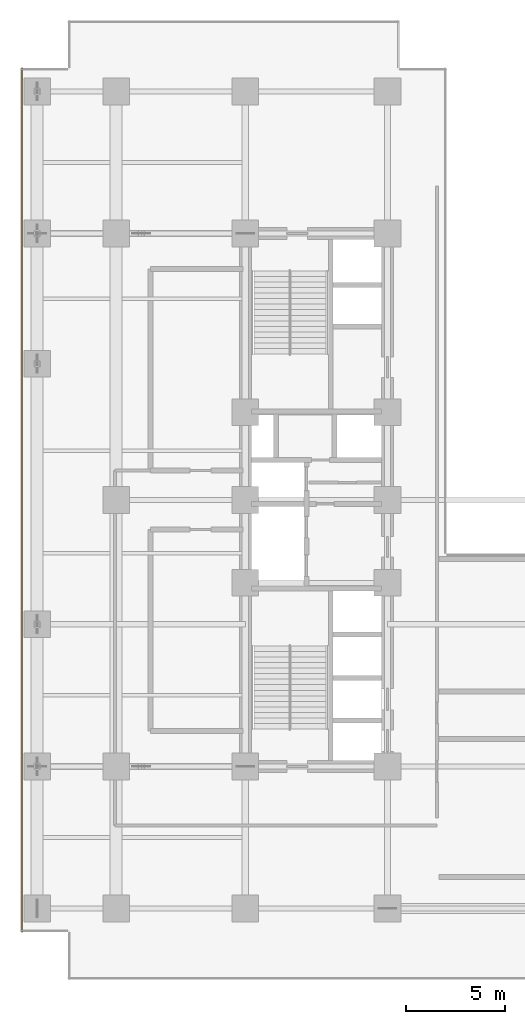
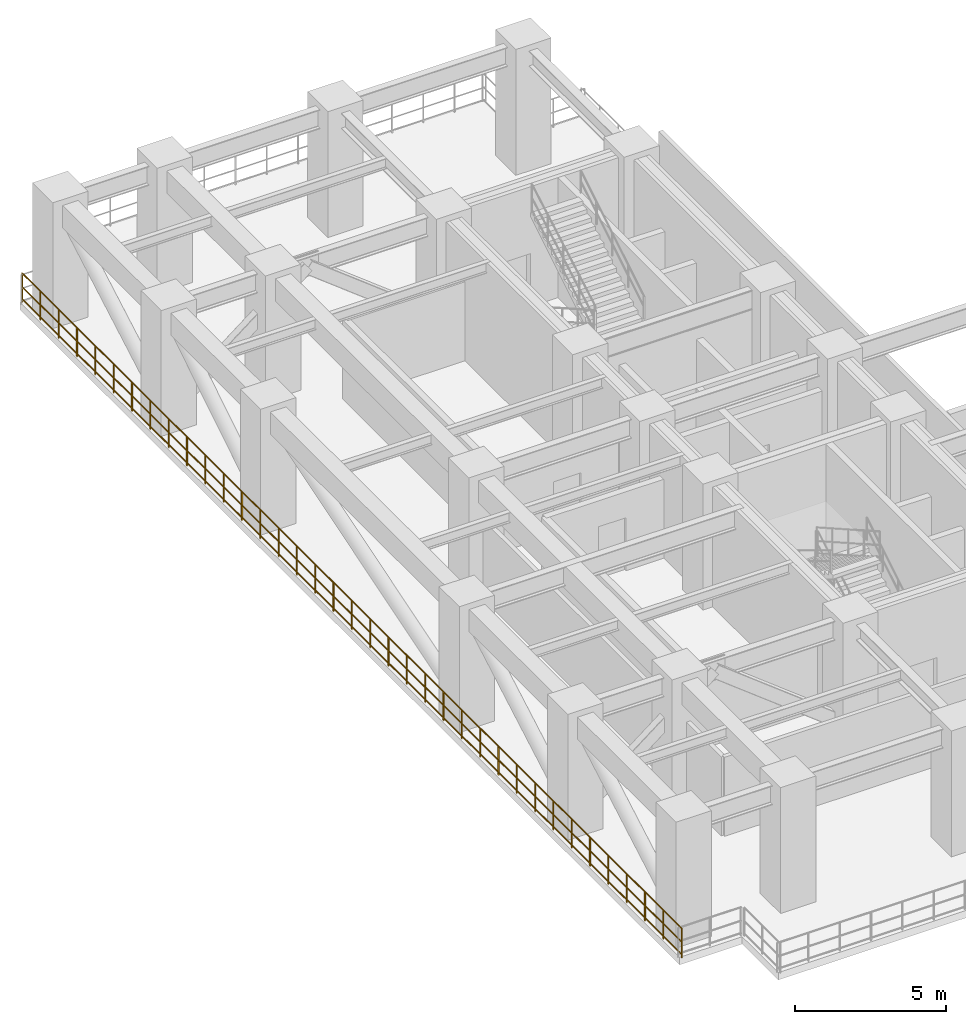
# One storey, part 11 of 15: 1 railing.
"""IFC4 building model written with IfcOpenShell, lengths in metres."""

from ifc_helpers import new_model, entity, si_unit, converted_unit, direction, frame, origin_with_axes, origin_2d_with_axis, place, context, subcontext, project, spatial, rectangle, circle, extrude, material, type_object, element, save


model = new_model("IFC4")

# Units and contexts
model_context = context("Model", 3, precision=1e-05, world=origin_with_axes(), true_north=direction((0.0, 1.0)))
body_context = subcontext(model_context, "Body", "Model", "MODEL_VIEW")
ifc_project = project(units=[si_unit("LENGTHUNIT", "METRE"), si_unit("AREAUNIT", "SQUARE_METRE"), si_unit("VOLUMEUNIT", "CUBIC_METRE"), converted_unit("PLANEANGLEUNIT", "DEGREE", entity("IfcPlaneAngleMeasure", 0.017453292519943295), si_unit("PLANEANGLEUNIT", "RADIAN"), dimensions=[0, 0, 0, 0, 0, 0, 0]), si_unit("MASSUNIT", "GRAM", prefix="KILO"), si_unit("THERMODYNAMICTEMPERATUREUNIT", "KELVIN")], contexts=[model_context])

# Site, building, storey
site_placement = place(None, origin_with_axes())
site = spatial("IfcSite", under=ifc_project, at=site_placement, CompositionType="ELEMENT")
building_placement = place(site_placement, origin_with_axes())
building = spatial("IfcBuilding", under=site, at=building_placement, Name="Varnlund Millrace Tower", CompositionType="ELEMENT")
storey_placement = place(building_placement, frame((0.0, 0.0, 79.5), z_axis=(0.0, 0.0, 1.0), x_axis=(1.0, 0.0, 0.0)))
storey = spatial("IfcBuildingStorey", under=building, at=storey_placement, Name="L19", CompositionType="ELEMENT", Elevation=79.5)

# Railing
ifc_material = material(Name="Architectural bronze balustrade guard", Category="aluminium")
railing_type = type_object("IfcRailingType", Name="Type-Guard-Perimeter-1150", PredefinedType="BALUSTRADE", material=ifc_material)
railing_placement = place(storey_placement, frame((0.0, 0.0, -79.5), z_axis=(0.0, 0.0, 1.0), x_axis=(1.0, 0.0, 0.0)))
element("IfcRailing", 1, at=railing_placement, inside=storey, type_object=railing_type, Name="Type-Guard-Perimeter-1150", PredefinedType="BALUSTRADE", context=body_context, shape_type="SweptSolid", body=[
    extrude(circle(Radius=0.024, at=origin_2d_with_axis()), frame((0.08, 46.2, 80.65), z_axis=(0.0, -1.0, 0.0), x_axis=(1.0, 0.0, 0.0)), (0.0, 0.0, 1.0), 43.8),
    extrude(circle(Radius=0.024, at=origin_2d_with_axis()), frame((0.08, 46.2, 79.6), z_axis=(0.0, -1.0, 0.0), x_axis=(1.0, 0.0, 0.0)), (0.0, 0.0, 1.0), 43.8),
    extrude(circle(Radius=0.024, at=origin_2d_with_axis()), frame((0.08, 46.2, 80.098), z_axis=(0.0, -1.0, 0.0), x_axis=(1.0, 0.0, 0.0)), (0.0, 0.0, 1.0), 43.8),
    extrude(rectangle(XDim=0.04, YDim=0.04, at=origin_2d_with_axis()), frame((0.08, 46.2, 79.46), z_axis=(0.0, 0.0, 1.0), x_axis=(1.0, 0.0, 0.0)), (0.0, 0.0, 1.0), 1.19),
    extrude(rectangle(XDim=0.04, YDim=0.04, at=origin_2d_with_axis()), frame((0.08, 44.983333, 79.46), z_axis=(0.0, 0.0, 1.0), x_axis=(1.0, 0.0, 0.0)), (0.0, 0.0, 1.0), 1.19),
    extrude(rectangle(XDim=0.04, YDim=0.04, at=origin_2d_with_axis()), frame((0.08, 43.766667, 79.46), z_axis=(0.0, 0.0, 1.0), x_axis=(1.0, 0.0, 0.0)), (0.0, 0.0, 1.0), 1.19),
    extrude(rectangle(XDim=0.04, YDim=0.04, at=origin_2d_with_axis()), frame((0.08, 42.55, 79.46), z_axis=(0.0, 0.0, 1.0), x_axis=(1.0, 0.0, 0.0)), (0.0, 0.0, 1.0), 1.19),
    extrude(rectangle(XDim=0.04, YDim=0.04, at=origin_2d_with_axis()), frame((0.08, 41.333333, 79.46), z_axis=(0.0, 0.0, 1.0), x_axis=(1.0, 0.0, 0.0)), (0.0, 0.0, 1.0), 1.19),
    extrude(rectangle(XDim=0.04, YDim=0.04, at=origin_2d_with_axis()), frame((0.08, 40.116667, 79.46), z_axis=(0.0, 0.0, 1.0), x_axis=(1.0, 0.0, 0.0)), (0.0, 0.0, 1.0), 1.19),
    extrude(rectangle(XDim=0.04, YDim=0.04, at=origin_2d_with_axis()), frame((0.08, 38.9, 79.46), z_axis=(0.0, 0.0, 1.0), x_axis=(1.0, 0.0, 0.0)), (0.0, 0.0, 1.0), 1.19),
    extrude(rectangle(XDim=0.04, YDim=0.04, at=origin_2d_with_axis()), frame((0.08, 37.683333, 79.46), z_axis=(0.0, 0.0, 1.0), x_axis=(1.0, 0.0, 0.0)), (0.0, 0.0, 1.0), 1.19),
    extrude(rectangle(XDim=0.04, YDim=0.04, at=origin_2d_with_axis()), frame((0.08, 36.466667, 79.46), z_axis=(0.0, 0.0, 1.0), x_axis=(1.0, 0.0, 0.0)), (0.0, 0.0, 1.0), 1.19),
    extrude(rectangle(XDim=0.04, YDim=0.04, at=origin_2d_with_axis()), frame((0.08, 35.25, 79.46), z_axis=(0.0, 0.0, 1.0), x_axis=(1.0, 0.0, 0.0)), (0.0, 0.0, 1.0), 1.19),
    extrude(rectangle(XDim=0.04, YDim=0.04, at=origin_2d_with_axis()), frame((0.08, 34.033333, 79.46), z_axis=(0.0, 0.0, 1.0), x_axis=(1.0, 0.0, 0.0)), (0.0, 0.0, 1.0), 1.19),
    extrude(rectangle(XDim=0.04, YDim=0.04, at=origin_2d_with_axis()), frame((0.08, 32.816667, 79.46), z_axis=(0.0, 0.0, 1.0), x_axis=(1.0, 0.0, 0.0)), (0.0, 0.0, 1.0), 1.19),
    extrude(rectangle(XDim=0.04, YDim=0.04, at=origin_2d_with_axis()), frame((0.08, 31.6, 79.46), z_axis=(0.0, 0.0, 1.0), x_axis=(1.0, 0.0, 0.0)), (0.0, 0.0, 1.0), 1.19),
    extrude(rectangle(XDim=0.04, YDim=0.04, at=origin_2d_with_axis()), frame((0.08, 30.383333, 79.46), z_axis=(0.0, 0.0, 1.0), x_axis=(1.0, 0.0, 0.0)), (0.0, 0.0, 1.0), 1.19),
    extrude(rectangle(XDim=0.04, YDim=0.04, at=origin_2d_with_axis()), frame((0.08, 29.166667, 79.46), z_axis=(0.0, 0.0, 1.0), x_axis=(1.0, 0.0, 0.0)), (0.0, 0.0, 1.0), 1.19),
    extrude(rectangle(XDim=0.04, YDim=0.04, at=origin_2d_with_axis()), frame((0.08, 27.95, 79.46), z_axis=(0.0, 0.0, 1.0), x_axis=(1.0, 0.0, 0.0)), (0.0, 0.0, 1.0), 1.19),
    extrude(rectangle(XDim=0.04, YDim=0.04, at=origin_2d_with_axis()), frame((0.08, 26.733333, 79.46), z_axis=(0.0, 0.0, 1.0), x_axis=(1.0, 0.0, 0.0)), (0.0, 0.0, 1.0), 1.19),
    extrude(rectangle(XDim=0.04, YDim=0.04, at=origin_2d_with_axis()), frame((0.08, 25.516667, 79.46), z_axis=(0.0, 0.0, 1.0), x_axis=(1.0, 0.0, 0.0)), (0.0, 0.0, 1.0), 1.19),
    extrude(rectangle(XDim=0.04, YDim=0.04, at=origin_2d_with_axis()), frame((0.08, 24.3, 79.46), z_axis=(0.0, 0.0, 1.0), x_axis=(1.0, 0.0, 0.0)), (0.0, 0.0, 1.0), 1.19),
    extrude(rectangle(XDim=0.04, YDim=0.04, at=origin_2d_with_axis()), frame((0.08, 23.083333, 79.46), z_axis=(0.0, 0.0, 1.0), x_axis=(1.0, 0.0, 0.0)), (0.0, 0.0, 1.0), 1.19),
    extrude(rectangle(XDim=0.04, YDim=0.04, at=origin_2d_with_axis()), frame((0.08, 21.866667, 79.46), z_axis=(0.0, 0.0, 1.0), x_axis=(1.0, 0.0, 0.0)), (0.0, 0.0, 1.0), 1.19),
    extrude(rectangle(XDim=0.04, YDim=0.04, at=origin_2d_with_axis()), frame((0.08, 20.65, 79.46), z_axis=(0.0, 0.0, 1.0), x_axis=(1.0, 0.0, 0.0)), (0.0, 0.0, 1.0), 1.19),
    extrude(rectangle(XDim=0.04, YDim=0.04, at=origin_2d_with_axis()), frame((0.08, 19.433333, 79.46), z_axis=(0.0, 0.0, 1.0), x_axis=(1.0, 0.0, 0.0)), (0.0, 0.0, 1.0), 1.19),
    extrude(rectangle(XDim=0.04, YDim=0.04, at=origin_2d_with_axis()), frame((0.08, 18.216667, 79.46), z_axis=(0.0, 0.0, 1.0), x_axis=(1.0, 0.0, 0.0)), (0.0, 0.0, 1.0), 1.19),
    extrude(rectangle(XDim=0.04, YDim=0.04, at=origin_2d_with_axis()), frame((0.08, 17.0, 79.46), z_axis=(0.0, 0.0, 1.0), x_axis=(1.0, 0.0, 0.0)), (0.0, 0.0, 1.0), 1.19),
    extrude(rectangle(XDim=0.04, YDim=0.04, at=origin_2d_with_axis()), frame((0.08, 15.783333, 79.46), z_axis=(0.0, 0.0, 1.0), x_axis=(1.0, 0.0, 0.0)), (0.0, 0.0, 1.0), 1.19),
    extrude(rectangle(XDim=0.04, YDim=0.04, at=origin_2d_with_axis()), frame((0.08, 14.566667, 79.46), z_axis=(0.0, 0.0, 1.0), x_axis=(1.0, 0.0, 0.0)), (0.0, 0.0, 1.0), 1.19),
    extrude(rectangle(XDim=0.04, YDim=0.04, at=origin_2d_with_axis()), frame((0.08, 13.35, 79.46), z_axis=(0.0, 0.0, 1.0), x_axis=(1.0, 0.0, 0.0)), (0.0, 0.0, 1.0), 1.19),
    extrude(rectangle(XDim=0.04, YDim=0.04, at=origin_2d_with_axis()), frame((0.08, 12.133333, 79.46), z_axis=(0.0, 0.0, 1.0), x_axis=(1.0, 0.0, 0.0)), (0.0, 0.0, 1.0), 1.19),
    extrude(rectangle(XDim=0.04, YDim=0.04, at=origin_2d_with_axis()), frame((0.08, 10.916667, 79.46), z_axis=(0.0, 0.0, 1.0), x_axis=(1.0, 0.0, 0.0)), (0.0, 0.0, 1.0), 1.19),
    extrude(rectangle(XDim=0.04, YDim=0.04, at=origin_2d_with_axis()), frame((0.08, 9.7, 79.46), z_axis=(0.0, 0.0, 1.0), x_axis=(1.0, 0.0, 0.0)), (0.0, 0.0, 1.0), 1.19),
    extrude(rectangle(XDim=0.04, YDim=0.04, at=origin_2d_with_axis()), frame((0.08, 8.483333, 79.46), z_axis=(0.0, 0.0, 1.0), x_axis=(1.0, 0.0, 0.0)), (0.0, 0.0, 1.0), 1.19),
    extrude(rectangle(XDim=0.04, YDim=0.04, at=origin_2d_with_axis()), frame((0.08, 7.266667, 79.46), z_axis=(0.0, 0.0, 1.0), x_axis=(1.0, 0.0, 0.0)), (0.0, 0.0, 1.0), 1.19),
    extrude(rectangle(XDim=0.04, YDim=0.04, at=origin_2d_with_axis()), frame((0.08, 6.05, 79.46), z_axis=(0.0, 0.0, 1.0), x_axis=(1.0, 0.0, 0.0)), (0.0, 0.0, 1.0), 1.19),
    extrude(rectangle(XDim=0.04, YDim=0.04, at=origin_2d_with_axis()), frame((0.08, 4.833333, 79.46), z_axis=(0.0, 0.0, 1.0), x_axis=(1.0, 0.0, 0.0)), (0.0, 0.0, 1.0), 1.19),
    extrude(rectangle(XDim=0.04, YDim=0.04, at=origin_2d_with_axis()), frame((0.08, 3.616667, 79.46), z_axis=(0.0, 0.0, 1.0), x_axis=(1.0, 0.0, 0.0)), (0.0, 0.0, 1.0), 1.19),
    extrude(rectangle(XDim=0.04, YDim=0.04, at=origin_2d_with_axis()), frame((0.08, 2.4, 79.46), z_axis=(0.0, 0.0, 1.0), x_axis=(1.0, 0.0, 0.0)), (0.0, 0.0, 1.0), 1.19),
])

save(model, "model.ifc")
